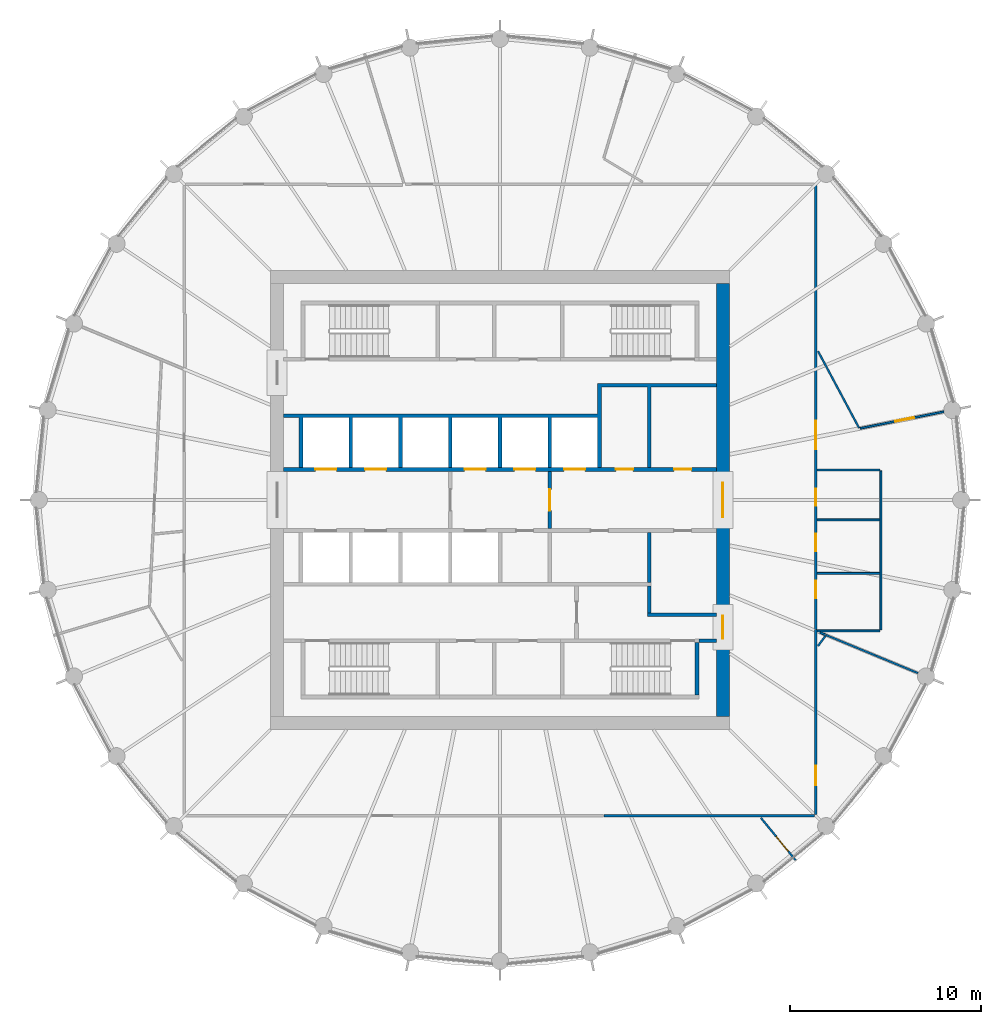
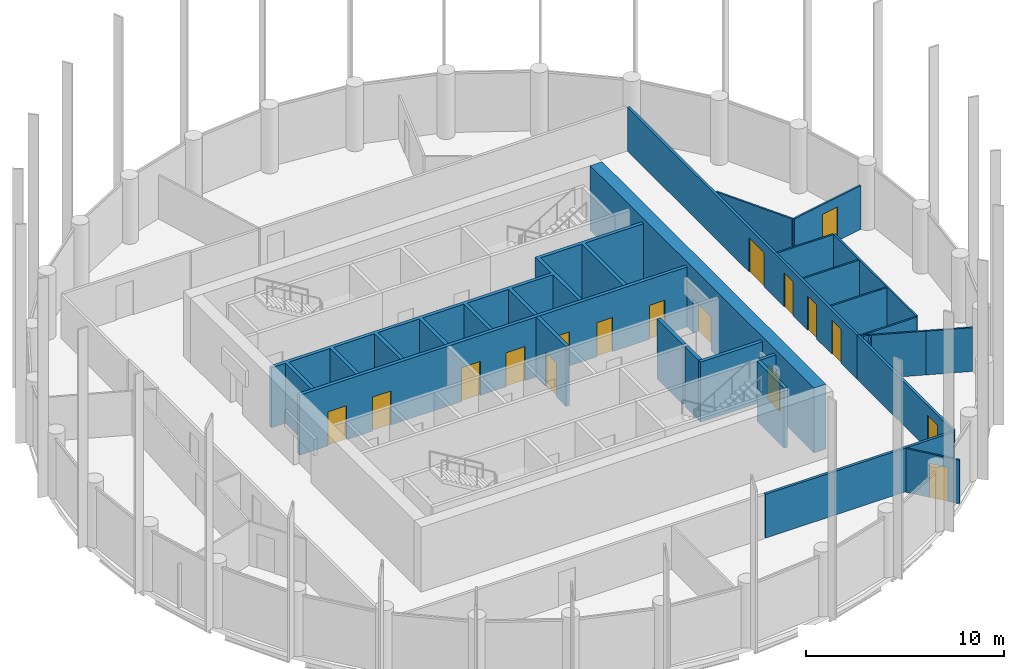
# One storey, part 5 of 7: 24 walls, 17 doors, 17 openings.
"""IFC4 building model written with IfcOpenShell, lengths in metres."""

from ifc_helpers import new_model, si_unit, direction, frame, frame_2d, origin, place, context, subcontext, project, spatial, polyline, rectangle, outline, extrude, material, layer, layer_set, type_object, element, fill, save


model = new_model("IFC4")

# Units and contexts
model_context = context("Model", 3, precision=1e-05, world=origin(), true_north=direction((0.0, 1.0)))
body_context = subcontext(model_context, "Body", "Model", "MODEL_VIEW")
ifc_project = project(units=[si_unit("LENGTHUNIT", "METRE"), si_unit("AREAUNIT", "SQUARE_METRE"), si_unit("VOLUMEUNIT", "CUBIC_METRE"), si_unit("PLANEANGLEUNIT", "RADIAN"), si_unit("MASSUNIT", "GRAM", prefix="KILO")], contexts=[model_context])

# Site, building, storey
site_placement = place(None, origin())
site = spatial("IfcSite", under=ifc_project, at=site_placement, CompositionType="ELEMENT")
building_placement = place(site_placement, origin())
building = spatial("IfcBuilding", under=site, at=building_placement, Name="Corvane Civic Tower", CompositionType="ELEMENT")
storey_placement = place(building_placement, frame((0.0, 0.0, 311.0)))
storey = spatial("IfcBuildingStorey", under=building, at=storey_placement, Name="L74", CompositionType="ELEMENT", Elevation=311.0)

# Wall, openings, doors
ifc_material_1 = material(Name="Concrete C40/50", Category="concrete")
ifc_layer_1 = layer(ifc_material_1, 0.699951171875)
ifc_layer_set_1 = layer_set([ifc_layer_1], Name="Concrete C40/50")
wall_type_1 = type_object("IfcWallType", Name="CORE WALL 700 C40/50", PredefinedType="SHEAR", material=ifc_layer_set_1)
wall_1_placement = place(storey_placement, frame((11.64990234375, -11.300048828125, 0.0), z_axis=(0.0, 0.0, 1.0), x_axis=(0.0, 1.0, 0.0)))
wall_1 = element("IfcWall", 1, at=wall_1_placement, inside=storey, type_object=wall_type_1, Name="W-L74-core-E", PredefinedType="SHEAR", context=body_context, shape_type="SweptSolid", body=[
    extrude(rectangle(XDim=22.60009765625, YDim=0.699951171875, at=frame_2d((11.300048828125, 0.0))), origin(), (0.0, 0.0, 1.0), 4.0),
])
opening_1_placement = place(wall_1_placement, frame((10.39990234375, 0.0, 0.0)))
opening_1 = element("IfcOpeningElement", 2, at=opening_1_placement, cuts=wall_1, Name="Opening L74.C18", PredefinedType="OPENING", context=body_context, shape_type="SweptSolid", body=[
    extrude(rectangle(XDim=1.800048828125, YDim=2.10009765625, at=frame_2d((0.89990234375, 1.050048828125))), frame((0.0, 0.35986328125, 0.0), z_axis=(0.0, -1.0, 0.0), x_axis=(1.0, 0.0, 0.0)), (0.0, 0.0, 1.0), 0.719970703125),
])
opening_2_placement = place(wall_1_placement, frame((4.050048828125, 0.0, 0.0)))
opening_2 = element("IfcOpeningElement", 3, at=opening_2_placement, cuts=wall_1, Name="Opening L74.C20", PredefinedType="OPENING", context=body_context, shape_type="SweptSolid", body=[
    extrude(rectangle(XDim=1.199951171875, YDim=2.10009765625, at=frame_2d((0.60009765625, 1.050048828125))), frame((0.0, 0.35986328125, 0.0), z_axis=(0.0, -1.0, 0.0), x_axis=(1.0, 0.0, 0.0)), (0.0, 0.0, 1.0), 0.719970703125),
])
ifc_material_2 = material(Name="Steel fire door leaf", Category="steel")
door_type_1 = type_object("IfcDoorType", Name="CR-DOOR-CORE-1800", OperationType="DOUBLE_DOOR_SINGLE_SWING", PredefinedType="DOOR", material=ifc_material_2)
door_1_placement = place(opening_1_placement, origin())
door_1 = element("IfcDoor", 4, at=door_1_placement, inside=storey, type_object=door_type_1, Name="L74 door", OperationType="DOUBLE_DOOR_SINGLE_SWING", OverallHeight=2.10009765625, OverallWidth=1.800048828125, PredefinedType="DOOR", context=body_context, shape_type="SweptSolid", body=[
    extrude(rectangle(XDim=1.800048828125, YDim=2.10009765625, at=frame_2d((0.89990234375, 1.050048828125))), frame((0.0, 0.02490234375, 0.0), z_axis=(0.0, -1.0, 0.0), x_axis=(1.0, 0.0, 0.0)), (0.0, 0.0, 1.0), 0.050048828125),
])
fill(opening_1, door_1)
door_2_placement = place(opening_2_placement, origin())
door_2 = element("IfcDoor", 5, at=door_2_placement, inside=storey, type_object=door_type_1, Name="L74 door", OperationType="DOUBLE_DOOR_SINGLE_SWING", OverallHeight=2.10009765625, OverallWidth=1.199951171875, PredefinedType="DOOR", context=body_context, shape_type="SweptSolid", body=[
    extrude(rectangle(XDim=1.199951171875, YDim=2.10009765625, at=frame_2d((0.60009765625, 1.050048828125))), frame((0.0, 0.02490234375, 0.0), z_axis=(0.0, -1.0, 0.0), x_axis=(1.0, 0.0, 0.0)), (0.0, 0.0, 1.0), 0.050048828125),
])
fill(opening_2, door_2)

ifc_material_3 = material(Name="Concrete C30/37", Category="concrete")
ifc_layer_2 = layer(ifc_material_3, 0.199951171875)
ifc_layer_set_2 = layer_set([ifc_layer_2], Name="Concrete C30/37")
wall_type_2 = type_object("IfcWallType", Name="CR-WALL-200", PredefinedType="PARTITIONING", material=ifc_layer_set_2)
wall_2_placement = place(storey_placement, frame((-11.300048828125, 1.60009765625, 0.0), z_axis=(0.0, 0.0, 1.0), x_axis=(1.0, 0.0, 0.0)))
wall_2 = element("IfcWall", 6, at=wall_2_placement, inside=storey, type_object=wall_type_2, Name="L74 lift shaft wall", PredefinedType="PARTITIONING", context=body_context, shape_type="SweptSolid", body=[
    extrude(rectangle(XDim=22.60009765625, YDim=0.199951171875, at=frame_2d((11.300048828125, 0.0))), origin(), (0.0, 0.0, 1.0), 3.699951171875),
])
opening_3_placement = place(wall_2_placement, frame((1.64990234375, 0.0, 0.0)))
opening_3 = element("IfcOpeningElement", 7, at=opening_3_placement, cuts=wall_2, Name="Opening LD", PredefinedType="OPENING", context=body_context, shape_type="SweptSolid", body=[
    extrude(rectangle(XDim=1.10009765625, YDim=2.10009765625, at=frame_2d((0.550048828125, 1.050048828125))), frame((0.0, 0.10986328125, 0.0), z_axis=(0.0, -1.0, 0.0), x_axis=(1.0, 0.0, 0.0)), (0.0, 0.0, 1.0), 0.219970703125),
])
opening_4_placement = place(wall_2_placement, frame((4.25, 0.0, 0.0)))
opening_4 = element("IfcOpeningElement", 8, at=opening_4_placement, cuts=wall_2, Name="Opening LD", PredefinedType="OPENING", context=body_context, shape_type="SweptSolid", body=[
    extrude(rectangle(XDim=1.10009765625, YDim=2.10009765625, at=frame_2d((0.550048828125, 1.050048828125))), frame((0.0, 0.10986328125, 0.0), z_axis=(0.0, -1.0, 0.0), x_axis=(1.0, 0.0, 0.0)), (0.0, 0.0, 1.0), 0.219970703125),
])
opening_5_placement = place(wall_2_placement, frame((9.449951171875, 0.0, 0.0)))
opening_5 = element("IfcOpeningElement", 9, at=opening_5_placement, cuts=wall_2, Name="Opening LD", PredefinedType="OPENING", context=body_context, shape_type="SweptSolid", body=[
    extrude(rectangle(XDim=1.10009765625, YDim=2.10009765625, at=frame_2d((0.550048828125, 1.050048828125))), frame((0.0, 0.10986328125, 0.0), z_axis=(0.0, -1.0, 0.0), x_axis=(1.0, 0.0, 0.0)), (0.0, 0.0, 1.0), 0.219970703125),
])
opening_6_placement = place(wall_2_placement, frame((12.050048828125, 0.0, 0.0)))
opening_6 = element("IfcOpeningElement", 10, at=opening_6_placement, cuts=wall_2, Name="Opening LD", PredefinedType="OPENING", context=body_context, shape_type="SweptSolid", body=[
    extrude(rectangle(XDim=1.10009765625, YDim=2.10009765625, at=frame_2d((0.550048828125, 1.050048828125))), frame((0.0, 0.10986328125, 0.0), z_axis=(0.0, -1.0, 0.0), x_axis=(1.0, 0.0, 0.0)), (0.0, 0.0, 1.0), 0.219970703125),
])
opening_7_placement = place(wall_2_placement, frame((14.64990234375, 0.0, 0.0)))
opening_7 = element("IfcOpeningElement", 11, at=opening_7_placement, cuts=wall_2, Name="Opening LD", PredefinedType="OPENING", context=body_context, shape_type="SweptSolid", body=[
    extrude(rectangle(XDim=1.10009765625, YDim=2.10009765625, at=frame_2d((0.550048828125, 1.050048828125))), frame((0.0, 0.10986328125, 0.0), z_axis=(0.0, -1.0, 0.0), x_axis=(1.0, 0.0, 0.0)), (0.0, 0.0, 1.0), 0.219970703125),
])
opening_8_placement = place(wall_2_placement, frame((17.35009765625, 0.0, 0.0)))
opening_8 = element("IfcOpeningElement", 12, at=opening_8_placement, cuts=wall_2, Name="Opening L74.C01", PredefinedType="OPENING", context=body_context, shape_type="SweptSolid", body=[
    extrude(rectangle(XDim=0.89990234375, YDim=2.10009765625, at=frame_2d((0.449951171875, 1.050048828125))), frame((0.0, 0.10986328125, 0.0), z_axis=(0.0, -1.0, 0.0), x_axis=(1.0, 0.0, 0.0)), (0.0, 0.0, 1.0), 0.219970703125),
])
opening_9_placement = place(wall_2_placement, frame((20.39990234375, 0.0, 0.0)))
opening_9 = element("IfcOpeningElement", 13, at=opening_9_placement, cuts=wall_2, Name="Opening L74.C02", PredefinedType="OPENING", context=body_context, shape_type="SweptSolid", body=[
    extrude(rectangle(XDim=0.89990234375, YDim=2.10009765625, at=frame_2d((0.449951171875, 1.050048828125))), frame((0.0, 0.10986328125, 0.0), z_axis=(0.0, -1.0, 0.0), x_axis=(1.0, 0.0, 0.0)), (0.0, 0.0, 1.0), 0.219970703125),
])
ifc_material_4 = material(Name="Steel fire door leaf", Category="steel")
door_type_2 = type_object("IfcDoorType", Name="CR-DOOR-900", OperationType="SINGLE_SWING_LEFT", PredefinedType="DOOR", material=ifc_material_4)
door_3_placement = place(opening_8_placement, origin())
door_3 = element("IfcDoor", 14, at=door_3_placement, inside=storey, type_object=door_type_2, Name="L74 door", OperationType="SINGLE_SWING_LEFT", OverallHeight=2.10009765625, OverallWidth=0.89990234375, PredefinedType="DOOR", context=body_context, shape_type="SweptSolid", body=[
    extrude(rectangle(XDim=0.89990234375, YDim=2.10009765625, at=frame_2d((0.449951171875, 1.050048828125))), frame((0.0, 0.02490234375, 0.0), z_axis=(0.0, -1.0, 0.0), x_axis=(1.0, 0.0, 0.0)), (0.0, 0.0, 1.0), 0.050048828125),
])
fill(opening_8, door_3)
door_4_placement = place(opening_9_placement, origin())
door_4 = element("IfcDoor", 15, at=door_4_placement, inside=storey, type_object=door_type_2, Name="L74 door", OperationType="SINGLE_SWING_LEFT", OverallHeight=2.10009765625, OverallWidth=0.89990234375, PredefinedType="DOOR", context=body_context, shape_type="SweptSolid", body=[
    extrude(rectangle(XDim=0.89990234375, YDim=2.10009765625, at=frame_2d((0.449951171875, 1.050048828125))), frame((0.0, 0.02490234375, 0.0), z_axis=(0.0, -1.0, 0.0), x_axis=(1.0, 0.0, 0.0)), (0.0, 0.0, 1.0), 0.050048828125),
])
fill(opening_9, door_4)
ifc_material_5 = material(Name="Stainless steel 316 door leaves", Category="steel")
door_type_3 = type_object("IfcDoorType", Name="LD", OperationType="DOUBLE_DOOR_SLIDING", PredefinedType="DOOR", material=ifc_material_5)
door_5_placement = place(opening_3_placement, origin())
door_5 = element("IfcDoor", 16, at=door_5_placement, inside=storey, type_object=door_type_3, Name="L74 landing door", OperationType="DOUBLE_DOOR_SLIDING", OverallHeight=2.10009765625, OverallWidth=1.10009765625, PredefinedType="DOOR", context=body_context, shape_type="SweptSolid", body=[
    extrude(rectangle(XDim=1.10009765625, YDim=2.10009765625, at=frame_2d((0.550048828125, 1.050048828125))), frame((0.0, 0.02490234375, 0.0), z_axis=(0.0, -1.0, 0.0), x_axis=(1.0, 0.0, 0.0)), (0.0, 0.0, 1.0), 0.050048828125),
])
fill(opening_3, door_5)
door_6_placement = place(opening_4_placement, origin())
door_6 = element("IfcDoor", 17, at=door_6_placement, inside=storey, type_object=door_type_3, Name="L74 landing door", OperationType="DOUBLE_DOOR_SLIDING", OverallHeight=2.10009765625, OverallWidth=1.10009765625, PredefinedType="DOOR", context=body_context, shape_type="SweptSolid", body=[
    extrude(rectangle(XDim=1.10009765625, YDim=2.10009765625, at=frame_2d((0.550048828125, 1.050048828125))), frame((0.0, 0.02490234375, 0.0), z_axis=(0.0, -1.0, 0.0), x_axis=(1.0, 0.0, 0.0)), (0.0, 0.0, 1.0), 0.050048828125),
])
fill(opening_4, door_6)
door_7_placement = place(opening_5_placement, origin())
door_7 = element("IfcDoor", 18, at=door_7_placement, inside=storey, type_object=door_type_3, Name="L74 landing door", OperationType="DOUBLE_DOOR_SLIDING", OverallHeight=2.10009765625, OverallWidth=1.10009765625, PredefinedType="DOOR", context=body_context, shape_type="SweptSolid", body=[
    extrude(rectangle(XDim=1.10009765625, YDim=2.10009765625, at=frame_2d((0.550048828125, 1.050048828125))), frame((0.0, 0.02490234375, 0.0), z_axis=(0.0, -1.0, 0.0), x_axis=(1.0, 0.0, 0.0)), (0.0, 0.0, 1.0), 0.050048828125),
])
fill(opening_5, door_7)
door_8_placement = place(opening_6_placement, origin())
door_8 = element("IfcDoor", 19, at=door_8_placement, inside=storey, type_object=door_type_3, Name="L74 landing door", OperationType="DOUBLE_DOOR_SLIDING", OverallHeight=2.10009765625, OverallWidth=1.10009765625, PredefinedType="DOOR", context=body_context, shape_type="SweptSolid", body=[
    extrude(rectangle(XDim=1.10009765625, YDim=2.10009765625, at=frame_2d((0.550048828125, 1.050048828125))), frame((0.0, 0.02490234375, 0.0), z_axis=(0.0, -1.0, 0.0), x_axis=(1.0, 0.0, 0.0)), (0.0, 0.0, 1.0), 0.050048828125),
])
fill(opening_6, door_8)
door_9_placement = place(opening_7_placement, origin())
door_9 = element("IfcDoor", 20, at=door_9_placement, inside=storey, type_object=door_type_3, Name="L74 landing door", OperationType="DOUBLE_DOOR_SLIDING", OverallHeight=2.10009765625, OverallWidth=1.10009765625, PredefinedType="DOOR", context=body_context, shape_type="SweptSolid", body=[
    extrude(rectangle(XDim=1.10009765625, YDim=2.10009765625, at=frame_2d((0.550048828125, 1.050048828125))), frame((0.0, 0.02490234375, 0.0), z_axis=(0.0, -1.0, 0.0), x_axis=(1.0, 0.0, 0.0)), (0.0, 0.0, 1.0), 0.050048828125),
])
fill(opening_7, door_9)

# Wall, opening, door
wall_3_placement = place(storey_placement, frame((2.60009765625, -1.5, 0.0), z_axis=(0.0, 0.0, 1.0), x_axis=(0.0, 1.0, 0.0)))
wall_3 = element("IfcWall", 21, at=wall_3_placement, inside=storey, type_object=wall_type_2, Name="L74 firefighting lobby wall", PredefinedType="PARTITIONING", context=body_context, shape_type="SweptSolid", body=[
    extrude(rectangle(XDim=3.0, YDim=0.199951171875, at=frame_2d((1.5, 0.0))), origin(), (0.0, 0.0, 1.0), 3.699951171875),
])
opening_10_placement = place(wall_3_placement, frame((0.949951171875, 0.0, 0.0)))
opening_10 = element("IfcOpeningElement", 22, at=opening_10_placement, cuts=wall_3, Name="Opening L74.C15", PredefinedType="OPENING", context=body_context, shape_type="SweptSolid", body=[
    extrude(rectangle(XDim=1.10009765625, YDim=2.10009765625, at=frame_2d((0.550048828125, 1.050048828125))), frame((0.0, 0.10986328125, 0.0), z_axis=(0.0, -1.0, 0.0), x_axis=(1.0, 0.0, 0.0)), (0.0, 0.0, 1.0), 0.219970703125),
])
ifc_material_6 = material(Name="Steel fire door leaf", Category="steel")
door_type_4 = type_object("IfcDoorType", Name="CR-DOOR-FFL-1100", OperationType="SINGLE_SWING_LEFT", PredefinedType="DOOR", material=ifc_material_6)
door_10_placement = place(opening_10_placement, origin())
door_10 = element("IfcDoor", 23, at=door_10_placement, inside=storey, type_object=door_type_4, Name="L74 lobby door", OperationType="SINGLE_SWING_LEFT", OverallHeight=2.10009765625, OverallWidth=1.10009765625, PredefinedType="DOOR", context=body_context, shape_type="SweptSolid", body=[
    extrude(rectangle(XDim=1.10009765625, YDim=2.10009765625, at=frame_2d((0.550048828125, 1.050048828125))), frame((0.0, 0.02490234375, 0.0), z_axis=(0.0, -1.0, 0.0), x_axis=(1.0, 0.0, 0.0)), (0.0, 0.0, 1.0), 0.050048828125),
])
fill(opening_10, door_10)

# Walls
wall_4_placement = place(storey_placement, origin())
element("IfcWall", 24, at=wall_4_placement, inside=storey, type_object=wall_type_2, Name="L74 core partition wall", PredefinedType="PARTITIONING", context=body_context, shape_type="SweptSolid", body=[
    extrude(outline(polyline([(11.300048828125, -6.10009765625), (7.699951171875, -6.10009765625), (7.699951171875, -5.89990234375), (11.300048828125, -5.89990234375), (11.300048828125, -6.10009765625)])), origin(), (0.0, 0.0, 1.0), 3.699951171875),
])
wall_5_placement = place(storey_placement, origin())
element("IfcWall", 25, at=wall_5_placement, inside=storey, type_object=wall_type_2, Name="L74 core partition wall", PredefinedType="PARTITIONING", context=body_context, shape_type="SweptSolid", body=[
    extrude(outline(polyline([(7.89990234375, -1.699951171875), (7.89990234375, -4.2998046875), (7.699951171875, -4.2998046875), (7.699951171875, -1.699951171875), (7.89990234375, -1.699951171875)])), origin(), (0.0, 0.0, 1.0), 3.699951171875),
])
wall_6_placement = place(storey_placement, origin())
element("IfcWall", 26, at=wall_6_placement, inside=storey, type_object=wall_type_2, Name="L74 core partition wall", PredefinedType="PARTITIONING", context=body_context, shape_type="SweptSolid", body=[
    extrude(outline(polyline([(7.89990234375, -5.89990234375), (7.699951171875, -5.89990234375), (7.699951171875, -4.5), (7.89990234375, -4.5), (7.89990234375, -5.89990234375)])), origin(), (0.0, 0.0, 1.0), 3.699951171875),
])
wall_7_placement = place(storey_placement, origin())
element("IfcWall", 27, at=wall_7_placement, inside=storey, type_object=wall_type_2, Name="L74 core partition wall", PredefinedType="PARTITIONING", context=body_context, shape_type="SweptSolid", body=[
    extrude(outline(polyline([(-5.300048828125, 1.699951171875), (-5.300048828125, 4.300048828125), (-7.699951171875, 4.300048828125), (-7.699951171875, 1.699951171875), (-7.89990234375, 1.699951171875), (-7.89990234375, 4.300048828125), (-10.300048828125, 4.300048828125), (-10.300048828125, 1.699951171875), (-10.5, 1.699951171875), (-10.5, 4.300048828125), (-11.300048828125, 4.300048828125), (-11.300048828125, 4.5), (5.10009765625, 4.5), (5.10009765625, 6.10009765625), (11.300048828125, 6.10009765625), (11.300048828125, 5.89990234375), (7.89990234375, 5.89990234375), (7.89990234375, 1.699951171875), (7.699951171875, 1.699951171875), (7.699951171875, 5.89990234375), (5.300048828125, 5.89990234375), (5.300048828125, 1.699951171875), (5.10009765625, 1.699951171875), (5.10009765625, 4.300048828125), (2.699951171875, 4.300048828125), (2.699951171875, 1.699951171875), (2.5, 1.699951171875), (2.5, 4.300048828125), (0.10009765625, 4.300048828125), (0.10009765625, 1.699951171875), (-0.10009765625, 1.699951171875), (-0.10009765625, 4.300048828125), (-2.5, 4.300048828125), (-2.5, 1.699951171875), (-2.699951171875, 1.699951171875), (-2.699951171875, 4.300048828125), (-5.10009765625, 4.300048828125), (-5.10009765625, 1.699951171875), (-5.300048828125, 1.699951171875)])), origin(), (0.0, 0.0, 1.0), 3.699951171875),
])
wall_8_placement = place(storey_placement, origin())
element("IfcWall", 28, at=wall_8_placement, inside=storey, type_object=wall_type_2, Name="L74 core partition wall", PredefinedType="PARTITIONING", context=body_context, shape_type="SweptSolid", body=[
    extrude(outline(polyline([(11.300048828125, -7.449951171875), (10.39990234375, -7.449951171875), (10.39990234375, -7.25), (11.300048828125, -7.25), (11.300048828125, -7.449951171875)])), origin(), (0.0, 0.0, 1.0), 3.699951171875),
])

# Wall, opening, door
ifc_material_7 = material(Name="Plasterboard")
ifc_layer_3 = layer(ifc_material_7, 0.10009765625)
ifc_layer_set_3 = layer_set([ifc_layer_3], Name="Plasterboard")
wall_type_3 = type_object("IfcWallType", Name="Partition 100 plasterboard on studs", PredefinedType="PARTITIONING", material=ifc_layer_set_3)
wall_9_placement = place(storey_placement, frame((13.62890625, -16.606689453125, 0.0), z_axis=(0.0, 0.0, 1.0), x_axis=(0.634336185926, -0.773057309147, 0.0)))
wall_9 = element("IfcWall", 29, at=wall_9_placement, inside=storey, type_object=wall_type_3, Name="Partition L74.002", PredefinedType="PARTITIONING", context=body_context, shape_type="SweptSolid", body=[
    extrude(rectangle(XDim=2.866943359375, YDim=0.10009765625, at=frame_2d((1.43359375, 0.0))), origin(), (0.0, 0.0, 1.0), 2.699951171875),
])
opening_11_placement = place(wall_9_placement, frame((1.2607421875, 0.0, 0.0)))
opening_11 = element("IfcOpeningElement", 30, at=opening_11_placement, cuts=wall_9, Name="Opening L74.002", PredefinedType="OPENING", context=body_context, shape_type="SweptSolid", body=[
    extrude(rectangle(XDim=1.0, YDim=2.10009765625, at=frame_2d((0.5, 1.050048828125))), frame((0.0, 0.06005859375, 0.0), z_axis=(0.0, -1.0, 0.0), x_axis=(1.0, 0.0, 0.0)), (0.0, 0.0, 1.0), 0.1201171875),
])
ifc_material_8 = material(Name="Timber", Category="wood")
door_type_5 = type_object("IfcDoorType", Name="Single door 1000", OperationType="NOTDEFINED", PredefinedType="DOOR", material=ifc_material_8)
door_11_placement = place(opening_11_placement, frame((1.0, 0.0, 0.0), z_axis=(0.0, 0.0, 1.0), x_axis=(-1.0, 0.0, 0.0)))
door_11 = element("IfcDoor", 31, at=door_11_placement, inside=storey, type_object=door_type_5, Name="Door L74.002", OperationType="SINGLE_SWING_RIGHT", OverallHeight=2.10009765625, OverallWidth=1.0, PredefinedType="DOOR", context=body_context, shape_type="SweptSolid", body=[
    extrude(rectangle(XDim=1.0, YDim=2.10009765625, at=frame_2d((0.5, 1.050048828125))), frame((0.0, 0.02490234375, 0.0), z_axis=(0.0, -1.0, 0.0), x_axis=(1.0, 0.0, 0.0)), (0.0, 0.0, 1.0), 0.050048828125),
])
fill(opening_11, door_11)

# Walls
wall_10_placement = place(storey_placement, frame((19.643310546875, -8.13671875, 0.0), z_axis=(0.0, 0.0, 1.0), x_axis=(0.923949280598, -0.382515002167, 0.0)))
element("IfcWall", 32, at=wall_10_placement, inside=storey, type_object=wall_type_3, Name="Partition L74.007", PredefinedType="PARTITIONING", context=body_context, shape_type="SweptSolid", body=[
    extrude(rectangle(XDim=2.378173828125, YDim=0.10009765625, at=frame_2d((1.18896484375, 0.0))), origin(), (0.0, 0.0, 1.0), 2.699951171875),
])
wall_11_placement = place(storey_placement, frame((17.02978515625, -7.053955078125, 0.0), z_axis=(0.0, 0.0, 1.0), x_axis=(0.92385378389, -0.382745589122, 0.0)))
element("IfcWall", 33, at=wall_11_placement, inside=storey, type_object=wall_type_3, Name="Partition L74.009", PredefinedType="PARTITIONING", context=body_context, shape_type="SweptSolid", body=[
    extrude(rectangle(XDim=2.828857421875, YDim=0.10009765625, at=frame_2d((1.41455078125, 0.0))), origin(), (0.0, 0.0, 1.0), 2.699951171875),
])
wall_12_placement = place(storey_placement, frame((16.574951171875, -6.83447265625, 0.0), z_axis=(0.0, 0.0, 1.0), x_axis=(1.0, 0.0, 0.0)))
element("IfcWall", 34, at=wall_12_placement, inside=storey, type_object=wall_type_3, Name="Partition L74.011", PredefinedType="PARTITIONING", context=body_context, shape_type="SweptSolid", body=[
    extrude(rectangle(XDim=3.275146484375, YDim=0.10009765625, at=frame_2d((1.6376953125, 0.0))), origin(), (0.0, 0.0, 1.0), 2.699951171875),
])
wall_13_placement = place(storey_placement, frame((19.89990234375, -6.784423828125, 0.0), z_axis=(0.0, 0.0, 1.0), x_axis=(0.0, 1.0, 0.0)))
element("IfcWall", 35, at=wall_13_placement, inside=storey, type_object=wall_type_3, Name="Partition L74.012", PredefinedType="PARTITIONING", context=body_context, shape_type="SweptSolid", body=[
    extrude(rectangle(XDim=8.2998046875, YDim=0.10009765625, at=frame_2d((4.14990234375, 0.0))), origin(), (0.0, 0.0, 1.0), 2.699951171875),
])
for number, where, z_axis, x_axis, name in (
    (36, (16.574951171875, -3.83447265625, 0.0), (0.0, 0.0, 1.0), (1.0, 0.0, 0.0), "Partition L74.015"),
    (37, (16.574951171875, -1.034423828125, 0.0), (0.0, 0.0, 1.0), (1.0, 0.0, 0.0), "Partition L74.017"),
    (38, (16.574951171875, 1.5654296875, 0.0), (0.0, 0.0, 1.0), (1.0, 0.0, 0.0), "Partition L74.018"),
):
    element("IfcWall", number, at=place(storey_placement, frame(where, z_axis=z_axis, x_axis=x_axis)), inside=storey, type_object=wall_type_3, Name=name, PredefinedType="PARTITIONING", context=body_context, shape_type="SweptSolid", body=[
        extrude(rectangle(XDim=3.275146484375, YDim=0.10009765625, at=frame_2d((1.6376953125, 0.0))), origin(), (0.0, 0.0, 1.0), 2.699951171875),
    ])

# Wall, opening, door
wall_14_placement = place(storey_placement, frame((18.8125, 3.741943359375, 0.0), z_axis=(0.0, 0.0, 1.0), x_axis=(0.980786508615, 0.195084147278, 0.0)))
wall_14 = element("IfcWall", 39, at=wall_14_placement, inside=storey, type_object=wall_type_3, Name="Partition L74.019", PredefinedType="PARTITIONING", context=body_context, shape_type="SweptSolid", body=[
    extrude(rectangle(XDim=4.458984375, YDim=0.10009765625, at=frame_2d((2.2294921875, 0.0))), origin(), (0.0, 0.0, 1.0), 2.699951171875),
])
opening_12_placement = place(wall_14_placement, frame((1.8740234375, 0.0, 0.0)))
opening_12 = element("IfcOpeningElement", 40, at=opening_12_placement, cuts=wall_14, Name="Opening L74.011", PredefinedType="OPENING", context=body_context, shape_type="SweptSolid", body=[
    extrude(rectangle(XDim=1.0, YDim=2.10009765625, at=frame_2d((0.5, 1.050048828125))), frame((0.0, 0.06005859375, 0.0), z_axis=(0.0, -1.0, 0.0), x_axis=(1.0, 0.0, 0.0)), (0.0, 0.0, 1.0), 0.1201171875),
])
door_12_placement = place(opening_12_placement, origin())
door_12 = element("IfcDoor", 41, at=door_12_placement, inside=storey, type_object=door_type_5, Name="Door L74.011", OperationType="SINGLE_SWING_RIGHT", OverallHeight=2.10009765625, OverallWidth=1.0, PredefinedType="DOOR", context=body_context, shape_type="SweptSolid", body=[
    extrude(rectangle(XDim=1.0, YDim=2.10009765625, at=frame_2d((0.5, 1.050048828125))), frame((0.0, 0.02490234375, 0.0), z_axis=(0.0, -1.0, 0.0), x_axis=(1.0, 0.0, 0.0)), (0.0, 0.0, 1.0), 0.050048828125),
])
fill(opening_12, door_12)

# Walls
wall_15_placement = place(storey_placement, frame((16.619140625, 7.7705078125, 0.0), z_axis=(0.0, 0.0, 1.0), x_axis=(0.471403238748, -0.881917788968, 0.0)))
element("IfcWall", 42, at=wall_15_placement, inside=storey, type_object=wall_type_3, Name="Partition L74.020", PredefinedType="PARTITIONING", context=body_context, shape_type="SweptSolid", body=[
    extrude(rectangle(XDim=4.538818359375, YDim=0.10009765625, at=frame_2d((2.26953125, 0.0))), origin(), (0.0, 0.0, 1.0), 2.699951171875),
])
wall_16_placement = place(storey_placement, frame((16.71728515625, -6.924560546875, 0.0), z_axis=(0.0, 0.0, 1.0), x_axis=(0.924006983526, -0.382375593358, 0.0)))
element("IfcWall", 43, at=wall_16_placement, inside=storey, type_object=wall_type_3, Name="Partition L74.030", PredefinedType="PARTITIONING", context=body_context, shape_type="SweptSolid", body=[
    extrude(rectangle(XDim=0.302001953125, YDim=0.10009765625, at=frame_2d((0.15087890625, 0.0))), origin(), (0.0, 0.0, 1.0), 2.699951171875),
])
wall_17_placement = place(storey_placement, frame((16.614990234375, -7.6298828125, 0.0), z_axis=(0.0, 0.0, 1.0), x_axis=(0.595733138073, 0.803182437683, 0.0)))
element("IfcWall", 44, at=wall_17_placement, inside=storey, type_object=wall_type_3, Name="Partition L74.031", PredefinedType="PARTITIONING", context=body_context, shape_type="SweptSolid", body=[
    extrude(rectangle(XDim=0.669677734375, YDim=0.10009765625, at=frame_2d((0.3349609375, 0.0))), origin(), (0.0, 0.0, 1.0), 2.699951171875),
])
ifc_material_9 = material(Name="Concrete C50/60", Category="concrete")
ifc_layer_4 = layer(ifc_material_9, 0.199951171875)
ifc_layer_set_4 = layer_set([ifc_layer_4], Name="Concrete C50/60")
wall_type_4 = type_object("IfcWallType", Name="ST-WALL-200", PredefinedType="SHEAR", material=ifc_layer_set_4)
wall_18_placement = place(storey_placement, origin())
element("IfcWall", 45, at=wall_18_placement, inside=storey, type_object=wall_type_4, Name="L74 stair enclosure wall", PredefinedType="SHEAR", context=body_context, shape_type="SweptSolid", body=[
    extrude(outline(polyline([(10.39990234375, -7.449951171875), (10.39990234375, -10.199951171875), (10.199951171875, -10.199951171875), (10.199951171875, -7.449951171875), (10.39990234375, -7.449951171875)])), origin(), (0.0, 0.0, 1.0), 3.699951171875),
])
ifc_material_10 = material(Name="Plasterboard")
ifc_layer_5 = layer(ifc_material_10, 0.14990234375)
ifc_layer_set_5 = layer_set([ifc_layer_5], Name="Plasterboard")
wall_type_5 = type_object("IfcWallType", Name="Tenancy wall 150 EI 60", PredefinedType="PARTITIONING", material=ifc_layer_set_5)
wall_19_placement = place(storey_placement, frame((5.430419921875, -16.5, 0.0), z_axis=(0.0, 0.0, 1.0), x_axis=(1.0, 0.0, 0.0)))
element("IfcWall", 46, at=wall_19_placement, inside=storey, type_object=wall_type_5, Name="Partition L74.004", PredefinedType="PARTITIONING", context=body_context, shape_type="SweptSolid", body=[
    extrude(rectangle(XDim=10.99462890625, YDim=0.14990234375, at=frame_2d((5.497314453125, 0.0))), origin(), (0.0, 0.0, 1.0), 2.699951171875),
])

# Wall, opening, door
wall_20_placement = place(storey_placement, frame((16.5, -16.425048828125, 0.0), z_axis=(0.0, 0.0, 1.0), x_axis=(0.0, 1.0, 0.0)))
wall_20 = element("IfcWall", 47, at=wall_20_placement, inside=storey, type_object=wall_type_5, Name="Partition L74.006", PredefinedType="PARTITIONING", context=body_context, shape_type="SweptSolid", body=[
    extrude(rectangle(XDim=9.66552734375, YDim=0.14990234375, at=frame_2d((4.832763671875, 0.0))), origin(), (0.0, 0.0, 1.0), 2.699951171875),
])
opening_13_placement = place(wall_20_placement, frame((1.530029296875, 0.0, 0.0)))
opening_13 = element("IfcOpeningElement", 48, at=opening_13_placement, cuts=wall_20, Name="Opening L74.001", PredefinedType="OPENING", context=body_context, shape_type="SweptSolid", body=[
    extrude(rectangle(XDim=1.0, YDim=2.10009765625, at=frame_2d((0.5, 1.050048828125))), frame((0.0, 0.0849609375, 0.0), z_axis=(0.0, -1.0, 0.0), x_axis=(1.0, 0.0, 0.0)), (0.0, 0.0, 1.0), 0.169921875),
])
ifc_material_11 = material(Name="Steel and timber", Category="steel")
door_type_6 = type_object("IfcDoorType", Name="Fire door FD30S 1000", OperationType="NOTDEFINED", PredefinedType="DOOR", material=ifc_material_11)
door_13_placement = place(opening_13_placement, frame((1.0, 0.0, 0.0), z_axis=(0.0, 0.0, 1.0), x_axis=(-1.0, 0.0, 0.0)))
door_13 = element("IfcDoor", 49, at=door_13_placement, inside=storey, type_object=door_type_6, Name="Door L74.001", OperationType="SINGLE_SWING_LEFT", OverallHeight=2.10009765625, OverallWidth=1.0, PredefinedType="DOOR", context=body_context, shape_type="SweptSolid", body=[
    extrude(rectangle(XDim=1.0, YDim=2.10009765625, at=frame_2d((0.5, 1.050048828125))), frame((0.0, 0.02490234375, 0.0), z_axis=(0.0, -1.0, 0.0), x_axis=(1.0, 0.0, 0.0)), (0.0, 0.0, 1.0), 0.050048828125),
])
fill(opening_13, door_13)

# Wall, openings, doors
wall_21_placement = place(storey_placement, frame((16.5, -6.759521484375, 0.0), z_axis=(0.0, 0.0, 1.0), x_axis=(0.0, 1.0, 0.0)))
wall_21 = element("IfcWall", 50, at=wall_21_placement, inside=storey, type_object=wall_type_5, Name="Partition L74.013", PredefinedType="PARTITIONING", context=body_context, shape_type="SweptSolid", body=[
    extrude(rectangle(XDim=23.1845703125, YDim=0.14990234375, at=frame_2d((11.59228515625, 0.0))), origin(), (0.0, 0.0, 1.0), 2.699951171875),
])
opening_14_placement = place(wall_21_placement, frame((9.404541015625, 0.0, 0.0)))
opening_14 = element("IfcOpeningElement", 51, at=opening_14_placement, cuts=wall_21, Name="Opening L74.012", PredefinedType="OPENING", context=body_context, shape_type="SweptSolid", body=[
    extrude(rectangle(XDim=1.5, YDim=2.10009765625, at=frame_2d((0.75, 1.050048828125))), frame((0.0, 0.0849609375, 0.0), z_axis=(0.0, -1.0, 0.0), x_axis=(1.0, 0.0, 0.0)), (0.0, 0.0, 1.0), 0.169921875),
])
opening_15_placement = place(wall_21_placement, frame((1.630126953125, 0.0, 0.0)))
opening_15 = element("IfcOpeningElement", 52, at=opening_15_placement, cuts=wall_21, Name="Opening L74.013", PredefinedType="OPENING", context=body_context, shape_type="SweptSolid", body=[
    extrude(rectangle(XDim=0.89990234375, YDim=2.10009765625, at=frame_2d((0.449951171875, 1.050048828125))), frame((0.0, 0.0849609375, 0.0), z_axis=(0.0, -1.0, 0.0), x_axis=(1.0, 0.0, 0.0)), (0.0, 0.0, 1.0), 0.169921875),
])
opening_16_placement = place(wall_21_placement, frame((4.086181640625, 0.0, 0.0)))
opening_16 = element("IfcOpeningElement", 53, at=opening_16_placement, cuts=wall_21, Name="Opening L74.014", PredefinedType="OPENING", context=body_context, shape_type="SweptSolid", body=[
    extrude(rectangle(XDim=0.89990234375, YDim=2.10009765625, at=frame_2d((0.449951171875, 1.050048828125))), frame((0.0, 0.0849609375, 0.0), z_axis=(0.0, -1.0, 0.0), x_axis=(1.0, 0.0, 0.0)), (0.0, 0.0, 1.0), 0.169921875),
])
opening_17_placement = place(wall_21_placement, frame((6.45068359375, 0.0, 0.0)))
opening_17 = element("IfcOpeningElement", 54, at=opening_17_placement, cuts=wall_21, Name="Opening L74.015", PredefinedType="OPENING", context=body_context, shape_type="SweptSolid", body=[
    extrude(rectangle(XDim=0.89990234375, YDim=2.10009765625, at=frame_2d((0.449951171875, 1.050048828125))), frame((0.0, 0.0849609375, 0.0), z_axis=(0.0, -1.0, 0.0), x_axis=(1.0, 0.0, 0.0)), (0.0, 0.0, 1.0), 0.169921875),
])
ifc_material_12 = material(Name="Steel and timber", Category="steel")
door_type_7 = type_object("IfcDoorType", Name="Fire door FD30S 900", OperationType="NOTDEFINED", PredefinedType="DOOR", material=ifc_material_12)
door_14_placement = place(opening_15_placement, frame((0.89990234375, 0.0, 0.0), z_axis=(0.0, 0.0, 1.0), x_axis=(-1.0, 0.0, 0.0)))
door_14 = element("IfcDoor", 55, at=door_14_placement, inside=storey, type_object=door_type_7, Name="Door L74.013", OperationType="SINGLE_SWING_LEFT", OverallHeight=2.10009765625, OverallWidth=0.89990234375, PredefinedType="DOOR", context=body_context, shape_type="SweptSolid", body=[
    extrude(rectangle(XDim=0.89990234375, YDim=2.10009765625, at=frame_2d((0.449951171875, 1.050048828125))), frame((0.0, 0.02490234375, 0.0), z_axis=(0.0, -1.0, 0.0), x_axis=(1.0, 0.0, 0.0)), (0.0, 0.0, 1.0), 0.050048828125),
])
fill(opening_15, door_14)
door_15_placement = place(opening_16_placement, frame((0.89990234375, 0.0, 0.0), z_axis=(0.0, 0.0, 1.0), x_axis=(-1.0, 0.0, 0.0)))
door_15 = element("IfcDoor", 56, at=door_15_placement, inside=storey, type_object=door_type_7, Name="Door L74.014", OperationType="SINGLE_SWING_RIGHT", OverallHeight=2.10009765625, OverallWidth=0.89990234375, PredefinedType="DOOR", context=body_context, shape_type="SweptSolid", body=[
    extrude(rectangle(XDim=0.89990234375, YDim=2.10009765625, at=frame_2d((0.449951171875, 1.050048828125))), frame((0.0, 0.02490234375, 0.0), z_axis=(0.0, -1.0, 0.0), x_axis=(1.0, 0.0, 0.0)), (0.0, 0.0, 1.0), 0.050048828125),
])
fill(opening_16, door_15)
door_16_placement = place(opening_17_placement, frame((0.89990234375, 0.0, 0.0), z_axis=(0.0, 0.0, 1.0), x_axis=(-1.0, 0.0, 0.0)))
door_16 = element("IfcDoor", 57, at=door_16_placement, inside=storey, type_object=door_type_7, Name="Door L74.015", OperationType="SINGLE_SWING_LEFT", OverallHeight=2.10009765625, OverallWidth=0.89990234375, PredefinedType="DOOR", context=body_context, shape_type="SweptSolid", body=[
    extrude(rectangle(XDim=0.89990234375, YDim=2.10009765625, at=frame_2d((0.449951171875, 1.050048828125))), frame((0.0, 0.02490234375, 0.0), z_axis=(0.0, -1.0, 0.0), x_axis=(1.0, 0.0, 0.0)), (0.0, 0.0, 1.0), 0.050048828125),
])
fill(opening_17, door_16)
ifc_material_13 = material(Name="Steel and timber", Category="steel")
door_type_8 = type_object("IfcDoorType", Name="Fire door FD60 double 1500", OperationType="NOTDEFINED", PredefinedType="DOOR", material=ifc_material_13)
door_17_placement = place(opening_14_placement, frame((1.5, 0.0, 0.0), z_axis=(0.0, 0.0, 1.0), x_axis=(-1.0, 0.0, 0.0)))
door_17 = element("IfcDoor", 58, at=door_17_placement, inside=storey, type_object=door_type_8, Name="Door L74.012", OperationType="DOUBLE_DOOR_SINGLE_SWING", OverallHeight=2.10009765625, OverallWidth=1.5, PredefinedType="DOOR", context=body_context, shape_type="SweptSolid", body=[
    extrude(rectangle(XDim=1.5, YDim=2.10009765625, at=frame_2d((0.75, 1.050048828125))), frame((0.0, 0.02490234375, 0.0), z_axis=(0.0, -1.0, 0.0), x_axis=(1.0, 0.0, 0.0)), (0.0, 0.0, 1.0), 0.050048828125),
])
fill(opening_14, door_17)

save(model, "model.ifc")
